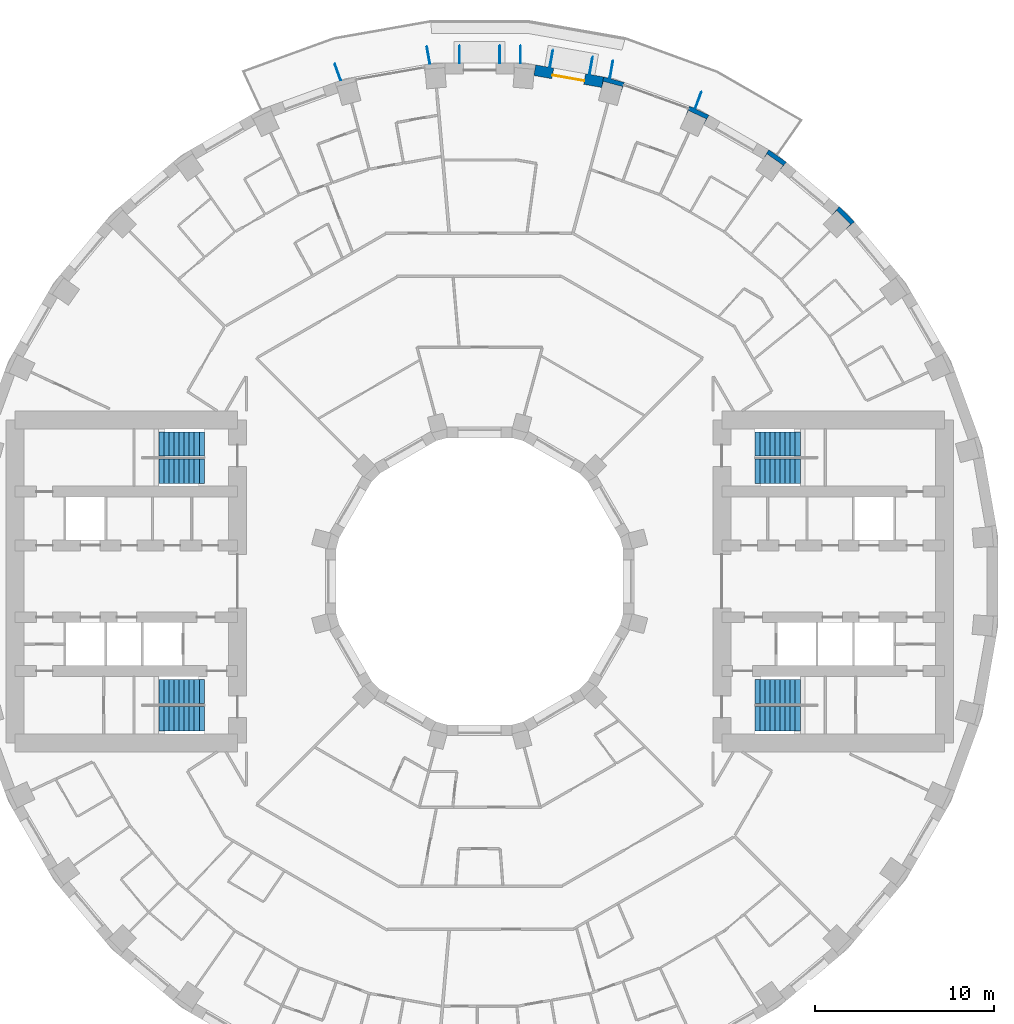
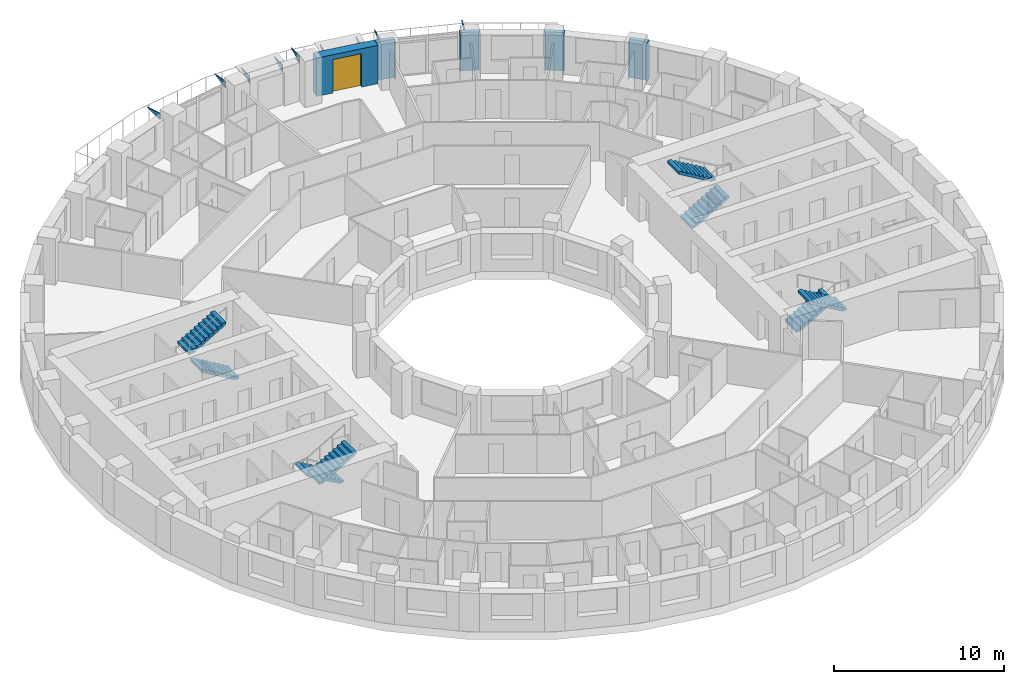
# One storey, part 14 of 15: 9 discrete accessories, 8 stair flights, 5 walls, 1 door, 1 opening, 4 elements without a shape of their own.
"""IFC4 building model written with IfcOpenShell, lengths in metres."""

from ifc_helpers import new_model, si_unit, direction, frame, frame_2d, origin, place, context, subcontext, project, spatial, polyline, rectangle, outline, extrude, material, layer, layer_set, type_object, element, fill, aggregate, save


model = new_model("IFC4")

# Units and contexts
model_context = context("Model", 3, precision=1e-05, world=origin(), true_north=direction((0.0, 1.0)))
body_context = subcontext(model_context, "Body", "Model", "MODEL_VIEW")
ifc_project = project(units=[si_unit("LENGTHUNIT", "METRE"), si_unit("AREAUNIT", "SQUARE_METRE"), si_unit("VOLUMEUNIT", "CUBIC_METRE"), si_unit("PLANEANGLEUNIT", "RADIAN"), si_unit("MASSUNIT", "GRAM", prefix="KILO")], contexts=[model_context])

# Site, building, storey
site_placement = place(None, origin())
site = spatial("IfcSite", under=ifc_project, at=site_placement, CompositionType="ELEMENT")
building_placement = place(site_placement, origin())
building = spatial("IfcBuilding", under=site, at=building_placement, Name="Saqina Gate Tower", CompositionType="ELEMENT")
storey_placement = place(building_placement, frame((0.0, 0.0, 75.800048828125)))
storey = spatial("IfcBuildingStorey", under=building, at=storey_placement, Name="L21", CompositionType="ELEMENT", Elevation=75.800048828125)

# Walls
ifc_material_1 = material(Name="Brick masonry (red)", Category="masonry")
wall_type_1 = type_object("IfcWallType", Name="BRICK PIER COPING RED", PredefinedType="SOLIDWALL", material=ifc_material_1)
wall_1_placement = place(storey_placement, origin())
element("IfcWall", 1, at=wall_1_placement, inside=storey, type_object=wall_type_1, Name="Pier cap L21 column 5", PredefinedType="SOLIDWALL", context=body_context, shape_type="SweptSolid", body=[
    extrude(outline(polyline([(20.04296875, 20.894775390625), (19.6572265625, 20.43505859375), (19.905029296875, 20.682861328125), (20.682861328125, 19.905029296875), (20.43505859375, 19.6572265625), (20.894775390625, 20.04296875), (20.04296875, 20.894775390625)])), origin(), (0.0, 0.0, 1.0), 2.75),
])
wall_2_placement = place(storey_placement, origin())
element("IfcWall", 2, at=wall_2_placement, inside=storey, type_object=wall_type_1, Name="Pier cap L21 column 6", PredefinedType="SOLIDWALL", context=body_context, shape_type="SweptSolid", body=[
    extrude(outline(polyline([(17.096923828125, 23.36669921875), (16.110107421875, 24.0576171875), (15.81005859375, 23.5380859375), (16.010986328125, 23.8251953125), (16.912109375, 23.194091796875), (16.711181640625, 22.9072265625), (17.096923828125, 23.36669921875)])), origin(), (0.0, 0.0, 1.0), 2.75),
])
wall_3_placement = place(storey_placement, origin())
element("IfcWall", 3, at=wall_3_placement, inside=storey, type_object=wall_type_1, Name="Pier cap L21 column 7", PredefinedType="SOLIDWALL", context=body_context, shape_type="SweptSolid", body=[
    extrude(outline(polyline([(11.687744140625, 26.48974609375), (11.482666015625, 25.92578125), (11.630615234375, 26.243408203125), (12.627685546875, 25.778564453125), (12.4794921875, 25.4609375), (12.779541015625, 25.980712890625), (11.687744140625, 26.48974609375)])), origin(), (0.0, 0.0, 1.0), 2.75),
])
wall_4_placement = place(storey_placement, origin())
element("IfcWall", 4, at=wall_4_placement, inside=storey, type_object=wall_type_1, Name="Pier cap L21 column 8", PredefinedType="SOLIDWALL", context=body_context, shape_type="SweptSolid", body=[
    extrude(outline(polyline([(6.910400390625, 28.11669921875), (6.80615234375, 27.52587890625), (6.896728515625, 27.864501953125), (7.95947265625, 27.57958984375), (7.86865234375, 27.2412109375), (8.073974609375, 27.80517578125), (6.910400390625, 28.11669921875)])), origin(), (0.0, 0.0, 1.0), 2.75),
])

# Wall, opening, door
ifc_material_2 = material(Name="Brick masonry (red)", Category="masonry")
ifc_layer_1 = layer(ifc_material_2, 0.60009765625)
ifc_layer_set_1 = layer_set([ifc_layer_1], Name="FW-BRICK-RED")
wall_type_2 = type_object("IfcWallType", Name="FW-BRICK-RED", PredefinedType="SOLIDWALL", material=ifc_layer_set_1)
wall_5_placement = place(storey_placement, frame((6.858154296875, 27.8212890625, 0.0), z_axis=(0.0, 0.0, 1.0), x_axis=(-0.984800809218, 0.173687553279, 0.0)))
wall_5 = element("IfcWall", 5, at=wall_5_placement, inside=storey, type_object=wall_type_2, Name="Facade wall L21 facet 8", PredefinedType="SOLIDWALL", context=body_context, shape_type="SweptSolid", body=[
    extrude(rectangle(XDim=3.845703125, YDim=0.60009765625, at=frame_2d((1.9228515625, 0.0))), origin(), (0.0, 0.0, 1.0), 2.75),
])
opening_placement = place(wall_5_placement, frame((1.02294921875, 0.0, 0.0)))
opening = element("IfcOpeningElement", 6, at=opening_placement, cuts=wall_5, Name="Opening G06-D80", PredefinedType="OPENING", context=body_context, shape_type="SweptSolid", body=[
    extrude(rectangle(XDim=1.800048828125, YDim=2.39990234375, at=frame_2d((0.89990234375, 1.199951171875))), frame((0.0, 0.31201171875, 0.0), z_axis=(0.0, -1.0, 0.0), x_axis=(1.0, 0.0, 0.0)), (0.0, 0.0, 1.0), 0.6240234375),
])
ifc_material_3 = material(Name="Aluminium glazing", Category="aluminium")
door_type = type_object("IfcDoorType", Name="GD-A", OperationType="DOUBLE_DOOR_SINGLE_SWING", PredefinedType="DOOR", material=ifc_material_3)
door_placement = place(opening_placement, frame((1.800048828125, 0.0, 0.0), z_axis=(0.0, 0.0, 1.0), x_axis=(-1.0, 0.0, 0.0)))
door = element("IfcDoor", 7, at=door_placement, inside=storey, type_object=door_type, Name="Terrace door L21 facet 8", OperationType="DOUBLE_DOOR_SINGLE_SWING", OverallHeight=2.39990234375, OverallWidth=1.800048828125, PredefinedType="DOOR", context=body_context, shape_type="SweptSolid", body=[
    extrude(rectangle(XDim=1.800048828125, YDim=2.39990234375, at=frame_2d((0.89990234375, 1.199951171875))), frame((0.0, -0.0751953125, 0.0), z_axis=(0.0, -1.0, 0.0), x_axis=(1.0, 0.0, 0.0)), (0.0, 0.0, 1.0), 0.050048828125),
])
fill(opening, door)

# Stair, stair flights
ifc_material_4 = material(Name="Concrete C40/50", Category="concrete")
stair_type = type_object("IfcStairType", Name="EXIT STAIR", PredefinedType="HALF_TURN_STAIR", material=ifc_material_4)
stair_1_placement = place(storey_placement, origin())
stair_1 = element("IfcStair", 8, at=stair_1_placement, inside=storey, type_object=stair_type, Name="EXIT STAIR 1", PredefinedType="HALF_TURN_STAIR")
ifc_material_5 = material(Name="Concrete C40/50", Category="concrete")
stair_flight_type = type_object("IfcStairFlightType", Name="EXIT STAIR FLIGHT", PredefinedType="STRAIGHT", material=ifc_material_5)
stair_flight_1_placement = place(storey_placement, frame((15.35009765625, 6.1416015625, 0.0), z_axis=(0.0, 0.0, 1.0), x_axis=(1.0, 0.0, 0.0)))
stair_flight_1 = element("IfcStairFlight", 9, at=stair_flight_1_placement, type_object=stair_flight_type, Name="EXIT STAIR 1 FLIGHT 1", NumberOfRisers=10, NumberOfTreads=9, PredefinedType="STRAIGHT", RiserHeight=0.165, TreadLength=0.28, context=body_context, shape_type="SweptSolid", body=[
    extrude(outline(polyline([(0.0, 0.0), (0.0, 0.1650390625), (0.280029296875, 0.1650390625), (0.280029296875, 0.330078125), (0.56005859375, 0.330078125), (0.56005859375, 0.4951171875), (0.840087890625, 0.4951171875), (0.840087890625, 0.659912109375), (1.1201171875, 0.659912109375), (1.1201171875, 0.824951171875), (1.39990234375, 0.824951171875), (1.39990234375, 0.989990234375), (1.679931640625, 0.989990234375), (1.679931640625, 1.155029296875), (1.9599609375, 1.155029296875), (1.9599609375, 1.320068359375), (2.239990234375, 1.320068359375), (2.239990234375, 1.485107421875), (2.52001953125, 1.485107421875), (2.52001953125, 1.64990234375), (2.52001953125, 1.31103515625), (0.295166015625, 0.0), (0.0, 0.0)])), frame((0.0, 0.675048828125, 0.0), z_axis=(0.0, -1.0, 0.0), x_axis=(1.0, 0.0, 0.0)), (0.0, 0.0, 1.0), 1.35009765625),
])
stair_flight_2_placement = place(storey_placement, frame((17.8701171875, 7.658447265625, 1.64990234375), z_axis=(0.0, 0.0, 1.0), x_axis=(-1.0, 0.0, 0.0)))
stair_flight_2 = element("IfcStairFlight", 10, at=stair_flight_2_placement, type_object=stair_flight_type, Name="EXIT STAIR 1 FLIGHT 2", NumberOfRisers=10, NumberOfTreads=9, PredefinedType="STRAIGHT", RiserHeight=0.165, TreadLength=0.28, context=body_context, shape_type="SweptSolid", body=[
    extrude(outline(polyline([(0.0, 0.0), (0.0, 0.1650390625), (0.280029296875, 0.1650390625), (0.280029296875, 0.330078125), (0.56005859375, 0.330078125), (0.56005859375, 0.4951171875), (0.840087890625, 0.4951171875), (0.840087890625, 0.659912109375), (1.1201171875, 0.659912109375), (1.1201171875, 0.824951171875), (1.39990234375, 0.824951171875), (1.39990234375, 0.989990234375), (1.679931640625, 0.989990234375), (1.679931640625, 1.155029296875), (1.9599609375, 1.155029296875), (1.9599609375, 1.320068359375), (2.239990234375, 1.320068359375), (2.239990234375, 1.485107421875), (2.52001953125, 1.485107421875), (2.52001953125, 1.64990234375), (2.52001953125, 1.31103515625), (0.295166015625, 0.0), (0.0, 0.0)])), frame((0.0, 0.675048828125, 0.0), z_axis=(0.0, -1.0, 0.0), x_axis=(1.0, 0.0, 0.0)), (0.0, 0.0, 1.0), 1.35009765625),
])
aggregate(stair_1, [stair_flight_1, stair_flight_2])

stair_2_placement = place(storey_placement, origin())
stair_2 = element("IfcStair", 11, at=stair_2_placement, inside=storey, type_object=stair_type, Name="EXIT STAIR 2", PredefinedType="HALF_TURN_STAIR")
stair_flight_3_placement = place(storey_placement, frame((15.35009765625, -6.1416015625, 0.0), z_axis=(0.0, 0.0, 1.0), x_axis=(1.0, 0.0, 0.0)))
stair_flight_3 = element("IfcStairFlight", 12, at=stair_flight_3_placement, type_object=stair_flight_type, Name="EXIT STAIR 2 FLIGHT 1", NumberOfRisers=10, NumberOfTreads=9, PredefinedType="STRAIGHT", RiserHeight=0.165, TreadLength=0.28, context=body_context, shape_type="SweptSolid", body=[
    extrude(outline(polyline([(0.0, 0.0), (0.0, 0.1650390625), (0.280029296875, 0.1650390625), (0.280029296875, 0.330078125), (0.56005859375, 0.330078125), (0.56005859375, 0.4951171875), (0.840087890625, 0.4951171875), (0.840087890625, 0.659912109375), (1.1201171875, 0.659912109375), (1.1201171875, 0.824951171875), (1.39990234375, 0.824951171875), (1.39990234375, 0.989990234375), (1.679931640625, 0.989990234375), (1.679931640625, 1.155029296875), (1.9599609375, 1.155029296875), (1.9599609375, 1.320068359375), (2.239990234375, 1.320068359375), (2.239990234375, 1.485107421875), (2.52001953125, 1.485107421875), (2.52001953125, 1.64990234375), (2.52001953125, 1.31103515625), (0.295166015625, 0.0), (0.0, 0.0)])), frame((0.0, 0.675048828125, 0.0), z_axis=(0.0, -1.0, 0.0), x_axis=(1.0, 0.0, 0.0)), (0.0, 0.0, 1.0), 1.35009765625),
])
stair_flight_4_placement = place(storey_placement, frame((17.8701171875, -7.658447265625, 1.64990234375), z_axis=(0.0, 0.0, 1.0), x_axis=(-1.0, 0.0, 0.0)))
stair_flight_4 = element("IfcStairFlight", 13, at=stair_flight_4_placement, type_object=stair_flight_type, Name="EXIT STAIR 2 FLIGHT 2", NumberOfRisers=10, NumberOfTreads=9, PredefinedType="STRAIGHT", RiserHeight=0.165, TreadLength=0.28, context=body_context, shape_type="SweptSolid", body=[
    extrude(outline(polyline([(0.0, 0.0), (0.0, 0.1650390625), (0.280029296875, 0.1650390625), (0.280029296875, 0.330078125), (0.56005859375, 0.330078125), (0.56005859375, 0.4951171875), (0.840087890625, 0.4951171875), (0.840087890625, 0.659912109375), (1.1201171875, 0.659912109375), (1.1201171875, 0.824951171875), (1.39990234375, 0.824951171875), (1.39990234375, 0.989990234375), (1.679931640625, 0.989990234375), (1.679931640625, 1.155029296875), (1.9599609375, 1.155029296875), (1.9599609375, 1.320068359375), (2.239990234375, 1.320068359375), (2.239990234375, 1.485107421875), (2.52001953125, 1.485107421875), (2.52001953125, 1.64990234375), (2.52001953125, 1.31103515625), (0.295166015625, 0.0), (0.0, 0.0)])), frame((0.0, 0.675048828125, 0.0), z_axis=(0.0, -1.0, 0.0), x_axis=(1.0, 0.0, 0.0)), (0.0, 0.0, 1.0), 1.35009765625),
])
aggregate(stair_2, [stair_flight_3, stair_flight_4])

stair_3_placement = place(storey_placement, origin())
stair_3 = element("IfcStair", 14, at=stair_3_placement, inside=storey, type_object=stair_type, Name="EXIT STAIR 3", PredefinedType="HALF_TURN_STAIR")
stair_flight_5_placement = place(storey_placement, frame((-15.35009765625, 6.1416015625, 0.0), z_axis=(0.0, 0.0, 1.0), x_axis=(-1.0, 0.0, 0.0)))
stair_flight_5 = element("IfcStairFlight", 15, at=stair_flight_5_placement, type_object=stair_flight_type, Name="EXIT STAIR 3 FLIGHT 1", NumberOfRisers=10, NumberOfTreads=9, PredefinedType="STRAIGHT", RiserHeight=0.165, TreadLength=0.28, context=body_context, shape_type="SweptSolid", body=[
    extrude(outline(polyline([(0.0, 0.0), (0.0, 0.1650390625), (0.280029296875, 0.1650390625), (0.280029296875, 0.330078125), (0.56005859375, 0.330078125), (0.56005859375, 0.4951171875), (0.840087890625, 0.4951171875), (0.840087890625, 0.659912109375), (1.1201171875, 0.659912109375), (1.1201171875, 0.824951171875), (1.39990234375, 0.824951171875), (1.39990234375, 0.989990234375), (1.679931640625, 0.989990234375), (1.679931640625, 1.155029296875), (1.9599609375, 1.155029296875), (1.9599609375, 1.320068359375), (2.239990234375, 1.320068359375), (2.239990234375, 1.485107421875), (2.52001953125, 1.485107421875), (2.52001953125, 1.64990234375), (2.52001953125, 1.31103515625), (0.295166015625, 0.0), (0.0, 0.0)])), frame((0.0, 0.675048828125, 0.0), z_axis=(0.0, -1.0, 0.0), x_axis=(1.0, 0.0, 0.0)), (0.0, 0.0, 1.0), 1.35009765625),
])
stair_flight_6_placement = place(storey_placement, frame((-17.8701171875, 7.658447265625, 1.64990234375), z_axis=(0.0, 0.0, 1.0), x_axis=(1.0, 0.0, 0.0)))
stair_flight_6 = element("IfcStairFlight", 16, at=stair_flight_6_placement, type_object=stair_flight_type, Name="EXIT STAIR 3 FLIGHT 2", NumberOfRisers=10, NumberOfTreads=9, PredefinedType="STRAIGHT", RiserHeight=0.165, TreadLength=0.28, context=body_context, shape_type="SweptSolid", body=[
    extrude(outline(polyline([(0.0, 0.0), (0.0, 0.1650390625), (0.280029296875, 0.1650390625), (0.280029296875, 0.330078125), (0.56005859375, 0.330078125), (0.56005859375, 0.4951171875), (0.840087890625, 0.4951171875), (0.840087890625, 0.659912109375), (1.1201171875, 0.659912109375), (1.1201171875, 0.824951171875), (1.39990234375, 0.824951171875), (1.39990234375, 0.989990234375), (1.679931640625, 0.989990234375), (1.679931640625, 1.155029296875), (1.9599609375, 1.155029296875), (1.9599609375, 1.320068359375), (2.239990234375, 1.320068359375), (2.239990234375, 1.485107421875), (2.52001953125, 1.485107421875), (2.52001953125, 1.64990234375), (2.52001953125, 1.31103515625), (0.295166015625, 0.0), (0.0, 0.0)])), frame((0.0, 0.675048828125, 0.0), z_axis=(0.0, -1.0, 0.0), x_axis=(1.0, 0.0, 0.0)), (0.0, 0.0, 1.0), 1.35009765625),
])
aggregate(stair_3, [stair_flight_5, stair_flight_6])

stair_4_placement = place(storey_placement, origin())
stair_4 = element("IfcStair", 17, at=stair_4_placement, inside=storey, type_object=stair_type, Name="EXIT STAIR 4", PredefinedType="HALF_TURN_STAIR")
stair_flight_7_placement = place(storey_placement, frame((-15.35009765625, -6.1416015625, 0.0), z_axis=(0.0, 0.0, 1.0), x_axis=(-1.0, 0.0, 0.0)))
stair_flight_7 = element("IfcStairFlight", 18, at=stair_flight_7_placement, type_object=stair_flight_type, Name="EXIT STAIR 4 FLIGHT 1", NumberOfRisers=10, NumberOfTreads=9, PredefinedType="STRAIGHT", RiserHeight=0.165, TreadLength=0.28, context=body_context, shape_type="SweptSolid", body=[
    extrude(outline(polyline([(0.0, 0.0), (0.0, 0.1650390625), (0.280029296875, 0.1650390625), (0.280029296875, 0.330078125), (0.56005859375, 0.330078125), (0.56005859375, 0.4951171875), (0.840087890625, 0.4951171875), (0.840087890625, 0.659912109375), (1.1201171875, 0.659912109375), (1.1201171875, 0.824951171875), (1.39990234375, 0.824951171875), (1.39990234375, 0.989990234375), (1.679931640625, 0.989990234375), (1.679931640625, 1.155029296875), (1.9599609375, 1.155029296875), (1.9599609375, 1.320068359375), (2.239990234375, 1.320068359375), (2.239990234375, 1.485107421875), (2.52001953125, 1.485107421875), (2.52001953125, 1.64990234375), (2.52001953125, 1.31103515625), (0.295166015625, 0.0), (0.0, 0.0)])), frame((0.0, 0.675048828125, 0.0), z_axis=(0.0, -1.0, 0.0), x_axis=(1.0, 0.0, 0.0)), (0.0, 0.0, 1.0), 1.35009765625),
])
stair_flight_8_placement = place(storey_placement, frame((-17.8701171875, -7.658447265625, 1.64990234375), z_axis=(0.0, 0.0, 1.0), x_axis=(1.0, 0.0, 0.0)))
stair_flight_8 = element("IfcStairFlight", 19, at=stair_flight_8_placement, type_object=stair_flight_type, Name="EXIT STAIR 4 FLIGHT 2", NumberOfRisers=10, NumberOfTreads=9, PredefinedType="STRAIGHT", RiserHeight=0.165, TreadLength=0.28, context=body_context, shape_type="SweptSolid", body=[
    extrude(outline(polyline([(0.0, 0.0), (0.0, 0.1650390625), (0.280029296875, 0.1650390625), (0.280029296875, 0.330078125), (0.56005859375, 0.330078125), (0.56005859375, 0.4951171875), (0.840087890625, 0.4951171875), (0.840087890625, 0.659912109375), (1.1201171875, 0.659912109375), (1.1201171875, 0.824951171875), (1.39990234375, 0.824951171875), (1.39990234375, 0.989990234375), (1.679931640625, 0.989990234375), (1.679931640625, 1.155029296875), (1.9599609375, 1.155029296875), (1.9599609375, 1.320068359375), (2.239990234375, 1.320068359375), (2.239990234375, 1.485107421875), (2.52001953125, 1.485107421875), (2.52001953125, 1.64990234375), (2.52001953125, 1.31103515625), (0.295166015625, 0.0), (0.0, 0.0)])), frame((0.0, 0.675048828125, 0.0), z_axis=(0.0, -1.0, 0.0), x_axis=(1.0, 0.0, 0.0)), (0.0, 0.0, 1.0), 1.35009765625),
])
aggregate(stair_4, [stair_flight_7, stair_flight_8])

# Discrete accessories
ifc_material_6 = material(Name="Galvanised steel", Category="steel")
ifc_layer_2 = layer(ifc_material_6, 0.050048828125)
ifc_layer_set_2 = layer_set([ifc_layer_2], Name="BR-AWNING")
discrete_accessory_type_1 = type_object("IfcDiscreteAccessoryType", Name="BR-AWNING", PredefinedType="BRACKET", material=ifc_layer_set_2)
for number, where, z_axis, x_axis, name in (
    (20, (6.097900390625, 28.260009765625, 1.974853515625), (-0.984820401928, 0.173576426815, 0.0), (0.0, 0.0, 1.0), "Awning bracket L21 facet 8"),
    (21, (3.88623046875, 28.650146484375, 1.974853515625), (-0.984820401928, 0.173576426815, 0.0), (0.0, 0.0, 1.0), "Awning bracket L21 facet 8"),
):
    element("IfcDiscreteAccessory", number, at=place(storey_placement, frame(where, z_axis=z_axis, x_axis=x_axis)), inside=storey, type_object=discrete_accessory_type_1, Name=name, PredefinedType="BRACKET", context=body_context, shape_type="SweptSolid", body=[
        extrude(outline(polyline([(0.0, 0.0), (0.550048828125, 0.0), (0.550048828125, 1.000043540245132), (0.0, 0.0)])), origin(), (0.0, 0.0, -1.0), 0.050048828125),
    ])
for number, where, z_axis, x_axis, name in (
    (22, (1.097900390625, 28.8896484375, 1.974853515625), (-1.0, 0.0, 0.0), (0.0, 0.0, 1.0), "Awning bracket L21 facet 9"),
    (23, (-1.14794921875, 28.8896484375, 1.974853515625), (-1.0, 0.0, 0.0), (0.0, 0.0, 1.0), "Awning bracket L21 facet 9"),
):
    element("IfcDiscreteAccessory", number, at=place(storey_placement, frame(where, z_axis=z_axis, x_axis=x_axis)), inside=storey, type_object=discrete_accessory_type_1, Name=name, PredefinedType="BRACKET", context=body_context, shape_type="SweptSolid", body=[
        extrude(outline(polyline([(0.0, 0.0), (0.550048828125, 0.0), (0.550048828125, 1.0), (0.0, 0.0)])), origin(), (0.0, 0.0, -1.0), 0.050048828125),
    ])
ifc_material_7 = material(Name="Galvanised steel", Category="steel")
ifc_layer_3 = layer(ifc_material_7, 0.050048828125)
ifc_layer_set_3 = layer_set([ifc_layer_3], Name="BR-GUSSET")
discrete_accessory_type_2 = type_object("IfcDiscreteAccessoryType", Name="BR-GUSSET", PredefinedType="BRACKET", material=ifc_layer_set_3)
discrete_accessory_1_placement = place(storey_placement, frame((11.99755859375, 26.376953125, 2.25), z_axis=(-0.939686455819, 0.342037080957, 0.0), x_axis=(0.0, 0.0, 1.0)))
element("IfcDiscreteAccessory", 24, at=discrete_accessory_1_placement, inside=storey, type_object=discrete_accessory_type_2, Name="Terrace slab bracket L22 1", PredefinedType="BRACKET", context=body_context, shape_type="SweptSolid", body=[
    extrude(outline(polyline([(0.0, 0.0), (0.5, 0.0), (0.5, 1.000011503630275), (0.0, 0.0)])), origin(), (0.0, 0.0, -1.0), 0.050048828125),
])
discrete_accessory_2_placement = place(storey_placement, frame((7.23486328125, 28.0595703125, 2.25), z_axis=(-0.984778643263, 0.173813186416, 0.0), x_axis=(0.0, 0.0, 1.0)))
element("IfcDiscreteAccessory", 25, at=discrete_accessory_2_placement, inside=storey, type_object=discrete_accessory_type_2, Name="Terrace slab bracket L22 2", PredefinedType="BRACKET", context=body_context, shape_type="SweptSolid", body=[
    extrude(outline(polyline([(0.0, 0.0), (0.5, 0.0), (0.5, 1.000085946204391), (0.0, 0.0)])), origin(), (0.0, 0.0, -1.0), 0.050048828125),
])
discrete_accessory_3_placement = place(storey_placement, frame((2.25244140625, 28.8896484375, 2.25), z_axis=(-1.0, 0.0, 0.0), x_axis=(0.0, 0.0, 1.0)))
element("IfcDiscreteAccessory", 26, at=discrete_accessory_3_placement, inside=storey, type_object=discrete_accessory_type_2, Name="Terrace slab bracket L22 3", PredefinedType="BRACKET", context=body_context, shape_type="SweptSolid", body=[
    extrude(outline(polyline([(0.0, 0.0), (0.5, 0.0), (0.5, 1.0), (0.0, 0.0)])), origin(), (0.0, 0.0, -1.0), 0.050048828125),
])
discrete_accessory_4_placement = place(storey_placement, frame((-2.79833984375, 28.841796875, 2.25), z_axis=(-0.984820401928, -0.173576426815, 0.0), x_axis=(0.0, 0.0, 1.0)))
element("IfcDiscreteAccessory", 27, at=discrete_accessory_4_placement, inside=storey, type_object=discrete_accessory_type_2, Name="Terrace slab bracket L22 4", PredefinedType="BRACKET", context=body_context, shape_type="SweptSolid", body=[
    extrude(outline(polyline([(0.0, 0.0), (0.5, 0.0), (0.5, 1.000043540245132), (0.0, 0.0)])), origin(), (0.0, 0.0, -1.0), 0.050048828125),
])
discrete_accessory_5_placement = place(storey_placement, frame((-7.76416015625, 27.917724609375, 2.25), z_axis=(-0.939686455819, -0.342037080957, 0.0), x_axis=(0.0, 0.0, 1.0)))
element("IfcDiscreteAccessory", 28, at=discrete_accessory_5_placement, inside=storey, type_object=discrete_accessory_type_2, Name="Terrace slab bracket L22 5", PredefinedType="BRACKET", context=body_context, shape_type="SweptSolid", body=[
    extrude(outline(polyline([(0.0, 0.0), (0.5, 0.0), (0.5, 1.000011503630275), (0.0, 0.0)])), origin(), (0.0, 0.0, -1.0), 0.050048828125),
])

save(model, "model.ifc")
